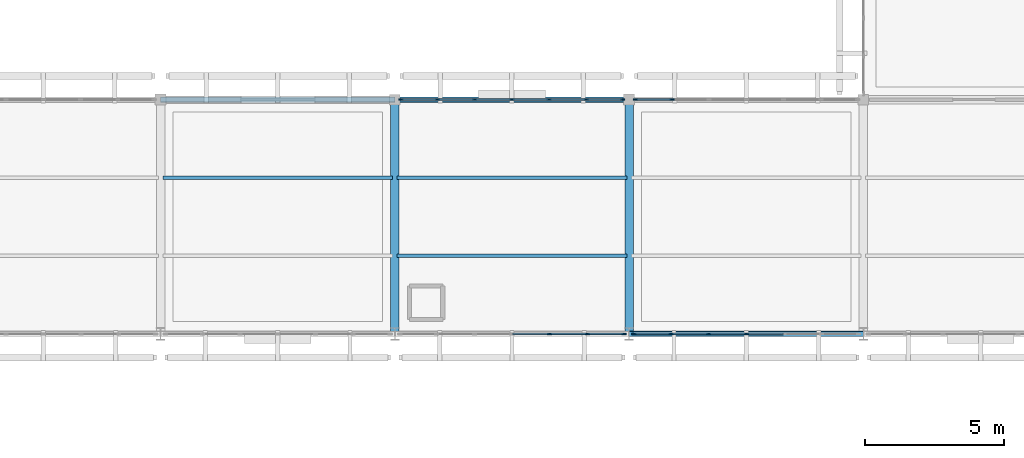
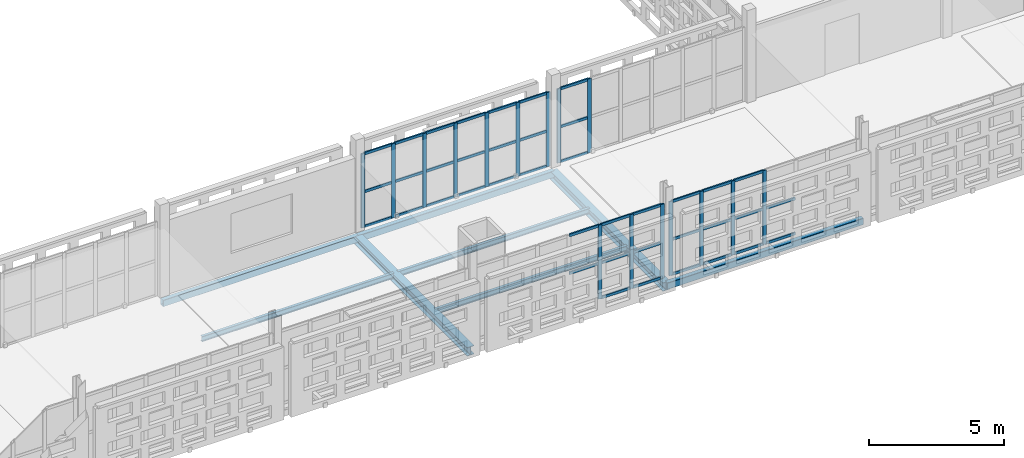
# One storey, part 46 of 166: 56 members, 8 beams, 4 elements without a shape of their own.
"""IFC4 building model written with IfcOpenShell, lengths in metres."""

from ifc_helpers import new_model, si_unit, direction, frame, origin, origin_2d, place, context, subcontext, project, spatial, rectangle, hollow_rectangle, i_section, extrude, material, layer, layer_set, material_profile, profile_set, type_object, element, aggregate, save


model = new_model("IFC4")

# Units and contexts
model_context = context("Model", 3, precision=1e-05, world=origin(), true_north=direction((0.0, 1.0)))
body_context = subcontext(model_context, "Body", "Model", "MODEL_VIEW")
ifc_project = project(units=[si_unit("LENGTHUNIT", "METRE"), si_unit("AREAUNIT", "SQUARE_METRE"), si_unit("VOLUMEUNIT", "CUBIC_METRE"), si_unit("PLANEANGLEUNIT", "RADIAN"), si_unit("MASSUNIT", "GRAM", prefix="KILO")], contexts=[model_context])

# Site, building, storey
site_placement = place(None, origin())
site = spatial("IfcSite", under=ifc_project, at=site_placement, CompositionType="ELEMENT")
building_placement = place(site_placement, origin())
building = spatial("IfcBuilding", under=site, at=building_placement, Name="Varnapada Polytechnic", CompositionType="ELEMENT")
storey_placement = place(building_placement, frame((0.0, 0.0, 9.60009765625)))
storey = spatial("IfcBuildingStorey", under=building, at=storey_placement, Name="L02", CompositionType="ELEMENT", Elevation=9.60009765625)

# Curtain wall, members
ifc_material_1 = material(Name="Double low-E laminated glass", Category="glass")
ifc_layer_1 = layer(ifc_material_1, 0.159912109375)
ifc_layer_set_1 = layer_set([ifc_layer_1], Name="Double low-E laminated glass")
curtain_wall_type_1 = type_object("IfcCurtainWallType", Name="Curtain Wall CW-01", PredefinedType="NOTDEFINED", material=ifc_layer_set_1)
curtain_wall_1_placement = place(storey_placement, origin())
curtain_wall_1 = element("IfcCurtainWall", 1, at=curtain_wall_1_placement, inside=storey, type_object=curtain_wall_type_1, Name="L02 unitised curtain wall CW-01 (171)", PredefinedType="NOTDEFINED")
ifc_material_2 = material(Name="Anodised aluminium", Category="aluminium")
ifc_material_profile_1 = material_profile(ifc_material_2, rectangle(XDim=0.06005859375, YDim=0.159912109375, at=origin_2d()), Name="ALU M60x160")
ifc_profile_set_1 = profile_set([ifc_material_profile_1], Name="Anodised aluminium")
member_type_1 = type_object("IfcMemberType", Name="Mullion M-01", PredefinedType="MULLION", material=ifc_profile_set_1)
member_1_placement = place(storey_placement, frame((109.02001953125, 84.0, 0.0), z_axis=(0.0, 0.0, 1.0), x_axis=(0.0, -1.0, 0.0)))
member_1 = element("IfcMember", 2, at=member_1_placement, type_object=member_type_1, Name="CW-01 mullion 1", PredefinedType="MULLION", context=body_context, shape_type="SweptSolid", body=[
    extrude(rectangle(XDim=0.06005859375, YDim=0.159912109375, at=origin_2d()), origin(), (0.0, 0.0, 1.0), 3.35986328125),
])
member_2_placement = place(storey_placement, frame((107.699951171875, 84.0, 0.0), z_axis=(0.0, 0.0, 1.0), x_axis=(0.0, -1.0, 0.0)))
member_2 = element("IfcMember", 3, at=member_2_placement, type_object=member_type_1, Name="CW-01 mullion 2", PredefinedType="MULLION", context=body_context, shape_type="SweptSolid", body=[
    extrude(rectangle(XDim=0.06005859375, YDim=0.159912109375, at=origin_2d()), origin(), (0.0, 0.0, 1.0), 3.35986328125),
])
member_3_placement = place(storey_placement, frame((106.35009765625, 84.0, 0.0), z_axis=(0.0, 0.0, 1.0), x_axis=(0.0, -1.0, 0.0)))
member_3 = element("IfcMember", 4, at=member_3_placement, type_object=member_type_1, Name="CW-01 mullion 3", PredefinedType="MULLION", context=body_context, shape_type="SweptSolid", body=[
    extrude(rectangle(XDim=0.06005859375, YDim=0.159912109375, at=origin_2d()), origin(), (0.0, 0.0, 1.0), 3.35986328125),
])

ifc_layer_2 = layer(ifc_material_1, 0.159912109375)
ifc_layer_set_2 = layer_set([ifc_layer_2], Name="Double low-E laminated glass")
curtain_wall_type_2 = type_object("IfcCurtainWallType", Name="Curtain Wall CW-02", PredefinedType="NOTDEFINED", material=ifc_layer_set_2)
curtain_wall_2_placement = place(storey_placement, origin())
curtain_wall_2 = element("IfcCurtainWall", 5, at=curtain_wall_2_placement, inside=storey, type_object=curtain_wall_type_2, Name="L02 unitised curtain wall CW-02 (172)", PredefinedType="NOTDEFINED")
member_4_placement = place(storey_placement, frame((101.02001953125, 92.39990234375, 0.0), z_axis=(0.0, 0.0, 1.0), x_axis=(0.0, 1.0, 0.0)))
member_4 = element("IfcMember", 6, at=member_4_placement, type_object=member_type_1, Name="CW-02 mullion 1", PredefinedType="MULLION", context=body_context, shape_type="SweptSolid", body=[
    extrude(rectangle(XDim=0.06005859375, YDim=0.159912109375, at=origin_2d()), origin(), (0.0, 0.0, 1.0), 3.35986328125),
])
member_5_placement = place(storey_placement, frame((102.324951171875, 92.39990234375, 0.0), z_axis=(0.0, 0.0, 1.0), x_axis=(0.0, 1.0, 0.0)))
member_5 = element("IfcMember", 7, at=member_5_placement, type_object=member_type_1, Name="CW-02 mullion 2", PredefinedType="MULLION", context=body_context, shape_type="SweptSolid", body=[
    extrude(rectangle(XDim=0.06005859375, YDim=0.159912109375, at=origin_2d()), origin(), (0.0, 0.0, 1.0), 3.35986328125),
])
member_6_placement = place(storey_placement, frame((103.659912109375, 92.39990234375, 0.0), z_axis=(0.0, 0.0, 1.0), x_axis=(0.0, 1.0, 0.0)))
member_6 = element("IfcMember", 8, at=member_6_placement, type_object=member_type_1, Name="CW-02 mullion 3", PredefinedType="MULLION", context=body_context, shape_type="SweptSolid", body=[
    extrude(rectangle(XDim=0.06005859375, YDim=0.159912109375, at=origin_2d()), origin(), (0.0, 0.0, 1.0), 3.35986328125),
])
member_7_placement = place(storey_placement, frame((104.9951171875, 92.39990234375, 0.0), z_axis=(0.0, 0.0, 1.0), x_axis=(0.0, 1.0, 0.0)))
member_7 = element("IfcMember", 9, at=member_7_placement, type_object=member_type_1, Name="CW-02 mullion 4", PredefinedType="MULLION", context=body_context, shape_type="SweptSolid", body=[
    extrude(rectangle(XDim=0.06005859375, YDim=0.159912109375, at=origin_2d()), origin(), (0.0, 0.0, 1.0), 3.35986328125),
])
member_8_placement = place(storey_placement, frame((106.330078125, 92.39990234375, 0.0), z_axis=(0.0, 0.0, 1.0), x_axis=(0.0, 1.0, 0.0)))
member_8 = element("IfcMember", 10, at=member_8_placement, type_object=member_type_1, Name="CW-02 mullion 5", PredefinedType="MULLION", context=body_context, shape_type="SweptSolid", body=[
    extrude(rectangle(XDim=0.06005859375, YDim=0.159912109375, at=origin_2d()), origin(), (0.0, 0.0, 1.0), 3.35986328125),
])
member_9_placement = place(storey_placement, frame((107.6650390625, 92.39990234375, 0.0), z_axis=(0.0, 0.0, 1.0), x_axis=(0.0, 1.0, 0.0)))
member_9 = element("IfcMember", 11, at=member_9_placement, type_object=member_type_1, Name="CW-02 mullion 6", PredefinedType="MULLION", context=body_context, shape_type="SweptSolid", body=[
    extrude(rectangle(XDim=0.06005859375, YDim=0.159912109375, at=origin_2d()), origin(), (0.0, 0.0, 1.0), 3.35986328125),
])
member_10_placement = place(storey_placement, frame((108.969970703125, 92.39990234375, 0.0), z_axis=(0.0, 0.0, 1.0), x_axis=(0.0, 1.0, 0.0)))
member_10 = element("IfcMember", 12, at=member_10_placement, type_object=member_type_1, Name="CW-02 mullion 7", PredefinedType="MULLION", context=body_context, shape_type="SweptSolid", body=[
    extrude(rectangle(XDim=0.06005859375, YDim=0.159912109375, at=origin_2d()), origin(), (0.0, 0.0, 1.0), 3.35986328125),
])

curtain_wall_3_placement = place(storey_placement, origin())
curtain_wall_3 = element("IfcCurtainWall", 13, at=curtain_wall_3_placement, inside=storey, type_object=curtain_wall_type_1, Name="L02 unitised curtain wall CW-01 (173)", PredefinedType="NOTDEFINED")
member_11_placement = place(storey_placement, frame((113.39990234375, 84.0, 0.0), z_axis=(0.0, 0.0, 1.0), x_axis=(0.0, -1.0, 0.0)))
member_11 = element("IfcMember", 14, at=member_11_placement, type_object=member_type_1, Name="CW-01 mullion 4", PredefinedType="MULLION", context=body_context, shape_type="SweptSolid", body=[
    extrude(rectangle(XDim=0.06005859375, YDim=0.159912109375, at=origin_2d()), origin(), (0.0, 0.0, 1.0), 3.35986328125),
])
member_12_placement = place(storey_placement, frame((112.050048828125, 84.0, 0.0), z_axis=(0.0, 0.0, 1.0), x_axis=(0.0, -1.0, 0.0)))
member_12 = element("IfcMember", 15, at=member_12_placement, type_object=member_type_1, Name="CW-01 mullion 5", PredefinedType="MULLION", context=body_context, shape_type="SweptSolid", body=[
    extrude(rectangle(XDim=0.06005859375, YDim=0.159912109375, at=origin_2d()), origin(), (0.0, 0.0, 1.0), 3.35986328125),
])
member_13_placement = place(storey_placement, frame((110.699951171875, 84.0, 0.0), z_axis=(0.0, 0.0, 1.0), x_axis=(0.0, -1.0, 0.0)))
member_13 = element("IfcMember", 16, at=member_13_placement, type_object=member_type_1, Name="CW-01 mullion 6", PredefinedType="MULLION", context=body_context, shape_type="SweptSolid", body=[
    extrude(rectangle(XDim=0.06005859375, YDim=0.159912109375, at=origin_2d()), origin(), (0.0, 0.0, 1.0), 3.35986328125),
])
member_14_placement = place(storey_placement, frame((109.3798828125, 84.0, 0.0), z_axis=(0.0, 0.0, 1.0), x_axis=(0.0, -1.0, 0.0)))
member_14 = element("IfcMember", 17, at=member_14_placement, type_object=member_type_1, Name="CW-01 mullion 7", PredefinedType="MULLION", context=body_context, shape_type="SweptSolid", body=[
    extrude(rectangle(XDim=0.06005859375, YDim=0.159912109375, at=origin_2d()), origin(), (0.0, 0.0, 1.0), 3.35986328125),
])

curtain_wall_4_placement = place(storey_placement, origin())
curtain_wall_4 = element("IfcCurtainWall", 18, at=curtain_wall_4_placement, inside=storey, type_object=curtain_wall_type_2, Name="L02 unitised curtain wall CW-02 (174)", PredefinedType="NOTDEFINED")
member_15_placement = place(storey_placement, frame((109.429931640625, 92.39990234375, 0.0), z_axis=(0.0, 0.0, 1.0), x_axis=(0.0, 1.0, 0.0)))
member_15 = element("IfcMember", 19, at=member_15_placement, type_object=member_type_1, Name="CW-02 mullion 1", PredefinedType="MULLION", context=body_context, shape_type="SweptSolid", body=[
    extrude(rectangle(XDim=0.06005859375, YDim=0.159912109375, at=origin_2d()), origin(), (0.0, 0.0, 1.0), 3.35986328125),
])
member_16_placement = place(storey_placement, frame((110.735107421875, 92.39990234375, 0.0), z_axis=(0.0, 0.0, 1.0), x_axis=(0.0, 1.0, 0.0)))
member_16 = element("IfcMember", 20, at=member_16_placement, type_object=member_type_1, Name="CW-02 mullion 2", PredefinedType="MULLION", context=body_context, shape_type="SweptSolid", body=[
    extrude(rectangle(XDim=0.06005859375, YDim=0.159912109375, at=origin_2d()), origin(), (0.0, 0.0, 1.0), 3.35986328125),
])

# Beams
ifc_material_3 = material(Name="Steel S355", Category="steel")
ifc_material_profile_2 = material_profile(ifc_material_3, i_section(OverallWidth=0.300048828125, OverallDepth=0.389892578125, WebThickness=0.010986328125, FlangeThickness=0.01904296875, FilletRadius=0.027099609375, at=origin_2d()), Name="HEA 400")
ifc_profile_set_2 = profile_set([ifc_material_profile_2], Name="Steel S355")
beam_type_1 = type_object("IfcBeamType", Name="Steel roof primary girder SG-01 (HEA 400)", PredefinedType="BEAM", material=ifc_profile_set_2)
for number, where, z_axis, x_axis, name in (
    (21, (100.800048828125, 84.0, -0.43505859375), (0.0, 1.0, 0.0), (-1.0, 0.0, 0.0), "L02 beam Y 11-12 at X13"),
    (22, (109.199951171875, 84.0, -0.43505859375), (0.0, 1.0, 0.0), (-1.0, 0.0, 0.0), "L02 beam Y 11-12 at X14"),
):
    element("IfcBeam", number, at=place(storey_placement, frame(where, z_axis=z_axis, x_axis=x_axis)), inside=storey, type_object=beam_type_1, Name=name, PredefinedType="BEAM", context=body_context, shape_type="SweptSolid", body=[
        extrude(i_section(OverallWidth=0.300048828125, OverallDepth=0.389892578125, WebThickness=0.010986328125, FlangeThickness=0.01904296875, FilletRadius=0.027099609375, at=origin_2d()), origin(), (0.0, 0.0, 1.0), 8.39990234375),
    ])

# Member
ifc_material_profile_3 = material_profile(ifc_material_2, rectangle(XDim=0.06005859375, YDim=0.1201171875, at=origin_2d()), Name="ALU T60x120")
ifc_profile_set_3 = profile_set([ifc_material_profile_3], Name="Anodised aluminium")
member_type_2 = type_object("IfcMemberType", Name="Transom T-01", PredefinedType="USERDEFINED", material=ifc_profile_set_3)
member_17_placement = place(storey_placement, frame((108.989990234375, 84.0, 0.02978515625), z_axis=(-1.0, 0.0, 0.0), x_axis=(0.0, -1.0, 0.0)))
member_17 = element("IfcMember", 23, at=member_17_placement, type_object=member_type_2, Name="CW-01 transom 1.1", ObjectType="TRANSOM", PredefinedType="USERDEFINED", context=body_context, shape_type="SweptSolid", body=[
    extrude(rectangle(XDim=0.06005859375, YDim=0.1201171875, at=origin_2d()), origin(), (0.0, 0.0, 1.0), 1.260009765625),
])

member_18_placement = place(storey_placement, frame((108.989990234375, 84.0, 1.61279296875), z_axis=(-1.0, 0.0, 0.0), x_axis=(0.0, -1.0, 0.0)))
member_18 = element("IfcMember", 24, at=member_18_placement, type_object=member_type_2, Name="CW-01 transom 1.2", ObjectType="TRANSOM", PredefinedType="USERDEFINED", context=body_context, shape_type="SweptSolid", body=[
    extrude(rectangle(XDim=0.06005859375, YDim=0.1201171875, at=origin_2d()), origin(), (0.0, 0.0, 1.0), 1.260009765625),
])

member_19_placement = place(storey_placement, frame((108.989990234375, 84.0, 3.329833984375), z_axis=(-1.0, 0.0, 0.0), x_axis=(0.0, -1.0, 0.0)))
member_19 = element("IfcMember", 25, at=member_19_placement, type_object=member_type_2, Name="CW-01 transom 1.3", ObjectType="TRANSOM", PredefinedType="USERDEFINED", context=body_context, shape_type="SweptSolid", body=[
    extrude(rectangle(XDim=0.06005859375, YDim=0.1201171875, at=origin_2d()), origin(), (0.0, 0.0, 1.0), 1.260009765625),
])

member_20_placement = place(storey_placement, frame((107.669921875, 84.0, 0.02978515625), z_axis=(-1.0, 0.0, 0.0), x_axis=(0.0, -1.0, 0.0)))
member_20 = element("IfcMember", 26, at=member_20_placement, type_object=member_type_2, Name="CW-01 transom 2.1", ObjectType="TRANSOM", PredefinedType="USERDEFINED", context=body_context, shape_type="SweptSolid", body=[
    extrude(rectangle(XDim=0.06005859375, YDim=0.1201171875, at=origin_2d()), origin(), (0.0, 0.0, 1.0), 1.2900390625),
])

member_21_placement = place(storey_placement, frame((107.669921875, 84.0, 1.61279296875), z_axis=(-1.0, 0.0, 0.0), x_axis=(0.0, -1.0, 0.0)))
member_21 = element("IfcMember", 27, at=member_21_placement, type_object=member_type_2, Name="CW-01 transom 2.2", ObjectType="TRANSOM", PredefinedType="USERDEFINED", context=body_context, shape_type="SweptSolid", body=[
    extrude(rectangle(XDim=0.06005859375, YDim=0.1201171875, at=origin_2d()), origin(), (0.0, 0.0, 1.0), 1.2900390625),
])

member_22_placement = place(storey_placement, frame((107.669921875, 84.0, 3.329833984375), z_axis=(-1.0, 0.0, 0.0), x_axis=(0.0, -1.0, 0.0)))
member_22 = element("IfcMember", 28, at=member_22_placement, type_object=member_type_2, Name="CW-01 transom 2.3", ObjectType="TRANSOM", PredefinedType="USERDEFINED", context=body_context, shape_type="SweptSolid", body=[
    extrude(rectangle(XDim=0.06005859375, YDim=0.1201171875, at=origin_2d()), origin(), (0.0, 0.0, 1.0), 1.2900390625),
])

member_23_placement = place(storey_placement, frame((106.320068359375, 84.0, 1.61279296875), z_axis=(-1.0, 0.0, 0.0), x_axis=(0.0, -1.0, 0.0)))
member_23 = element("IfcMember", 29, at=member_23_placement, type_object=member_type_2, Name="CW-01 transom 3.2", ObjectType="TRANSOM", PredefinedType="USERDEFINED", context=body_context, shape_type="SweptSolid", body=[
    extrude(rectangle(XDim=0.06005859375, YDim=0.1201171875, at=origin_2d()), origin(), (0.0, 0.0, 1.0), 1.2900390625),
])

member_24_placement = place(storey_placement, frame((106.320068359375, 84.0, 3.329833984375), z_axis=(-1.0, 0.0, 0.0), x_axis=(0.0, -1.0, 0.0)))
member_24 = element("IfcMember", 30, at=member_24_placement, type_object=member_type_2, Name="CW-01 transom 3.3", ObjectType="TRANSOM", PredefinedType="USERDEFINED", context=body_context, shape_type="SweptSolid", body=[
    extrude(rectangle(XDim=0.06005859375, YDim=0.1201171875, at=origin_2d()), origin(), (0.0, 0.0, 1.0), 1.2900390625),
])

aggregate(curtain_wall_1, [member_1, member_2, member_3, member_17, member_18, member_19, member_20, member_21, member_22, member_23, member_24])

member_25_placement = place(storey_placement, frame((101.050048828125, 92.39990234375, 0.02978515625), z_axis=(1.0, 0.0, 0.0), x_axis=(0.0, 1.0, 0.0)))
member_25 = element("IfcMember", 31, at=member_25_placement, type_object=member_type_2, Name="CW-02 transom 1.1", ObjectType="TRANSOM", PredefinedType="USERDEFINED", context=body_context, shape_type="SweptSolid", body=[
    extrude(rectangle(XDim=0.06005859375, YDim=0.1201171875, at=origin_2d()), origin(), (0.0, 0.0, 1.0), 1.244873046875),
])

member_26_placement = place(storey_placement, frame((101.050048828125, 92.39990234375, 1.61279296875), z_axis=(1.0, 0.0, 0.0), x_axis=(0.0, 1.0, 0.0)))
member_26 = element("IfcMember", 32, at=member_26_placement, type_object=member_type_2, Name="CW-02 transom 1.2", ObjectType="TRANSOM", PredefinedType="USERDEFINED", context=body_context, shape_type="SweptSolid", body=[
    extrude(rectangle(XDim=0.06005859375, YDim=0.1201171875, at=origin_2d()), origin(), (0.0, 0.0, 1.0), 1.244873046875),
])

member_27_placement = place(storey_placement, frame((101.050048828125, 92.39990234375, 3.329833984375), z_axis=(1.0, 0.0, 0.0), x_axis=(0.0, 1.0, 0.0)))
member_27 = element("IfcMember", 33, at=member_27_placement, type_object=member_type_2, Name="CW-02 transom 1.3", ObjectType="TRANSOM", PredefinedType="USERDEFINED", context=body_context, shape_type="SweptSolid", body=[
    extrude(rectangle(XDim=0.06005859375, YDim=0.1201171875, at=origin_2d()), origin(), (0.0, 0.0, 1.0), 1.244873046875),
])

member_28_placement = place(storey_placement, frame((102.35498046875, 92.39990234375, 0.02978515625), z_axis=(1.0, 0.0, 0.0), x_axis=(0.0, 1.0, 0.0)))
member_28 = element("IfcMember", 34, at=member_28_placement, type_object=member_type_2, Name="CW-02 transom 2.1", ObjectType="TRANSOM", PredefinedType="USERDEFINED", context=body_context, shape_type="SweptSolid", body=[
    extrude(rectangle(XDim=0.06005859375, YDim=0.1201171875, at=origin_2d()), origin(), (0.0, 0.0, 1.0), 1.27490234375),
])

member_29_placement = place(storey_placement, frame((102.35498046875, 92.39990234375, 1.61279296875), z_axis=(1.0, 0.0, 0.0), x_axis=(0.0, 1.0, 0.0)))
member_29 = element("IfcMember", 35, at=member_29_placement, type_object=member_type_2, Name="CW-02 transom 2.2", ObjectType="TRANSOM", PredefinedType="USERDEFINED", context=body_context, shape_type="SweptSolid", body=[
    extrude(rectangle(XDim=0.06005859375, YDim=0.1201171875, at=origin_2d()), origin(), (0.0, 0.0, 1.0), 1.27490234375),
])

member_30_placement = place(storey_placement, frame((102.35498046875, 92.39990234375, 3.329833984375), z_axis=(1.0, 0.0, 0.0), x_axis=(0.0, 1.0, 0.0)))
member_30 = element("IfcMember", 36, at=member_30_placement, type_object=member_type_2, Name="CW-02 transom 2.3", ObjectType="TRANSOM", PredefinedType="USERDEFINED", context=body_context, shape_type="SweptSolid", body=[
    extrude(rectangle(XDim=0.06005859375, YDim=0.1201171875, at=origin_2d()), origin(), (0.0, 0.0, 1.0), 1.27490234375),
])

member_31_placement = place(storey_placement, frame((103.68994140625, 92.39990234375, 0.02978515625), z_axis=(1.0, 0.0, 0.0), x_axis=(0.0, 1.0, 0.0)))
member_31 = element("IfcMember", 37, at=member_31_placement, type_object=member_type_2, Name="CW-02 transom 3.1", ObjectType="TRANSOM", PredefinedType="USERDEFINED", context=body_context, shape_type="SweptSolid", body=[
    extrude(rectangle(XDim=0.06005859375, YDim=0.1201171875, at=origin_2d()), origin(), (0.0, 0.0, 1.0), 1.275146484375),
])

member_32_placement = place(storey_placement, frame((103.68994140625, 92.39990234375, 1.61279296875), z_axis=(1.0, 0.0, 0.0), x_axis=(0.0, 1.0, 0.0)))
member_32 = element("IfcMember", 38, at=member_32_placement, type_object=member_type_2, Name="CW-02 transom 3.2", ObjectType="TRANSOM", PredefinedType="USERDEFINED", context=body_context, shape_type="SweptSolid", body=[
    extrude(rectangle(XDim=0.06005859375, YDim=0.1201171875, at=origin_2d()), origin(), (0.0, 0.0, 1.0), 1.275146484375),
])

member_33_placement = place(storey_placement, frame((103.68994140625, 92.39990234375, 3.329833984375), z_axis=(1.0, 0.0, 0.0), x_axis=(0.0, 1.0, 0.0)))
member_33 = element("IfcMember", 39, at=member_33_placement, type_object=member_type_2, Name="CW-02 transom 3.3", ObjectType="TRANSOM", PredefinedType="USERDEFINED", context=body_context, shape_type="SweptSolid", body=[
    extrude(rectangle(XDim=0.06005859375, YDim=0.1201171875, at=origin_2d()), origin(), (0.0, 0.0, 1.0), 1.275146484375),
])

member_34_placement = place(storey_placement, frame((105.02490234375, 92.39990234375, 0.02978515625), z_axis=(1.0, 0.0, 0.0), x_axis=(0.0, 1.0, 0.0)))
member_34 = element("IfcMember", 40, at=member_34_placement, type_object=member_type_2, Name="CW-02 transom 4.1", ObjectType="TRANSOM", PredefinedType="USERDEFINED", context=body_context, shape_type="SweptSolid", body=[
    extrude(rectangle(XDim=0.06005859375, YDim=0.1201171875, at=origin_2d()), origin(), (0.0, 0.0, 1.0), 1.275146484375),
])

member_35_placement = place(storey_placement, frame((105.02490234375, 92.39990234375, 1.61279296875), z_axis=(1.0, 0.0, 0.0), x_axis=(0.0, 1.0, 0.0)))
member_35 = element("IfcMember", 41, at=member_35_placement, type_object=member_type_2, Name="CW-02 transom 4.2", ObjectType="TRANSOM", PredefinedType="USERDEFINED", context=body_context, shape_type="SweptSolid", body=[
    extrude(rectangle(XDim=0.06005859375, YDim=0.1201171875, at=origin_2d()), origin(), (0.0, 0.0, 1.0), 1.275146484375),
])

member_36_placement = place(storey_placement, frame((105.02490234375, 92.39990234375, 3.329833984375), z_axis=(1.0, 0.0, 0.0), x_axis=(0.0, 1.0, 0.0)))
member_36 = element("IfcMember", 42, at=member_36_placement, type_object=member_type_2, Name="CW-02 transom 4.3", ObjectType="TRANSOM", PredefinedType="USERDEFINED", context=body_context, shape_type="SweptSolid", body=[
    extrude(rectangle(XDim=0.06005859375, YDim=0.1201171875, at=origin_2d()), origin(), (0.0, 0.0, 1.0), 1.275146484375),
])

member_37_placement = place(storey_placement, frame((106.360107421875, 92.39990234375, 0.02978515625), z_axis=(1.0, 0.0, 0.0), x_axis=(0.0, 1.0, 0.0)))
member_37 = element("IfcMember", 43, at=member_37_placement, type_object=member_type_2, Name="CW-02 transom 5.1", ObjectType="TRANSOM", PredefinedType="USERDEFINED", context=body_context, shape_type="SweptSolid", body=[
    extrude(rectangle(XDim=0.06005859375, YDim=0.1201171875, at=origin_2d()), origin(), (0.0, 0.0, 1.0), 1.27490234375),
])

member_38_placement = place(storey_placement, frame((106.360107421875, 92.39990234375, 1.61279296875), z_axis=(1.0, 0.0, 0.0), x_axis=(0.0, 1.0, 0.0)))
member_38 = element("IfcMember", 44, at=member_38_placement, type_object=member_type_2, Name="CW-02 transom 5.2", ObjectType="TRANSOM", PredefinedType="USERDEFINED", context=body_context, shape_type="SweptSolid", body=[
    extrude(rectangle(XDim=0.06005859375, YDim=0.1201171875, at=origin_2d()), origin(), (0.0, 0.0, 1.0), 1.27490234375),
])

member_39_placement = place(storey_placement, frame((106.360107421875, 92.39990234375, 3.329833984375), z_axis=(1.0, 0.0, 0.0), x_axis=(0.0, 1.0, 0.0)))
member_39 = element("IfcMember", 45, at=member_39_placement, type_object=member_type_2, Name="CW-02 transom 5.3", ObjectType="TRANSOM", PredefinedType="USERDEFINED", context=body_context, shape_type="SweptSolid", body=[
    extrude(rectangle(XDim=0.06005859375, YDim=0.1201171875, at=origin_2d()), origin(), (0.0, 0.0, 1.0), 1.27490234375),
])

member_40_placement = place(storey_placement, frame((107.695068359375, 92.39990234375, 0.02978515625), z_axis=(1.0, 0.0, 0.0), x_axis=(0.0, 1.0, 0.0)))
member_40 = element("IfcMember", 46, at=member_40_placement, type_object=member_type_2, Name="CW-02 transom 6.1", ObjectType="TRANSOM", PredefinedType="USERDEFINED", context=body_context, shape_type="SweptSolid", body=[
    extrude(rectangle(XDim=0.06005859375, YDim=0.1201171875, at=origin_2d()), origin(), (0.0, 0.0, 1.0), 1.244873046875),
])

member_41_placement = place(storey_placement, frame((107.695068359375, 92.39990234375, 1.61279296875), z_axis=(1.0, 0.0, 0.0), x_axis=(0.0, 1.0, 0.0)))
member_41 = element("IfcMember", 47, at=member_41_placement, type_object=member_type_2, Name="CW-02 transom 6.2", ObjectType="TRANSOM", PredefinedType="USERDEFINED", context=body_context, shape_type="SweptSolid", body=[
    extrude(rectangle(XDim=0.06005859375, YDim=0.1201171875, at=origin_2d()), origin(), (0.0, 0.0, 1.0), 1.244873046875),
])

member_42_placement = place(storey_placement, frame((107.695068359375, 92.39990234375, 3.329833984375), z_axis=(1.0, 0.0, 0.0), x_axis=(0.0, 1.0, 0.0)))
member_42 = element("IfcMember", 48, at=member_42_placement, type_object=member_type_2, Name="CW-02 transom 6.3", ObjectType="TRANSOM", PredefinedType="USERDEFINED", context=body_context, shape_type="SweptSolid", body=[
    extrude(rectangle(XDim=0.06005859375, YDim=0.1201171875, at=origin_2d()), origin(), (0.0, 0.0, 1.0), 1.244873046875),
])

aggregate(curtain_wall_2, [member_4, member_5, member_6, member_7, member_8, member_9, member_10, member_25, member_26, member_27, member_28, member_29, member_30, member_31, member_32, member_33, member_34, member_35, member_36, member_37, member_38, member_39, member_40, member_41, member_42])

member_43_placement = place(storey_placement, frame((114.719970703125, 84.0, 0.02978515625), z_axis=(-1.0, 0.0, 0.0), x_axis=(0.0, -1.0, 0.0)))
member_43 = element("IfcMember", 49, at=member_43_placement, type_object=member_type_2, Name="CW-01 transom 3.1", ObjectType="TRANSOM", PredefinedType="USERDEFINED", context=body_context, shape_type="SweptSolid", body=[
    extrude(rectangle(XDim=0.06005859375, YDim=0.1201171875, at=origin_2d()), origin(), (0.0, 0.0, 1.0), 1.2900390625),
])

member_44_placement = place(storey_placement, frame((114.719970703125, 84.0, 1.61279296875), z_axis=(-1.0, 0.0, 0.0), x_axis=(0.0, -1.0, 0.0)))
member_44 = element("IfcMember", 50, at=member_44_placement, type_object=member_type_2, Name="CW-01 transom 3.2", ObjectType="TRANSOM", PredefinedType="USERDEFINED", context=body_context, shape_type="SweptSolid", body=[
    extrude(rectangle(XDim=0.06005859375, YDim=0.1201171875, at=origin_2d()), origin(), (0.0, 0.0, 1.0), 1.2900390625),
])

member_45_placement = place(storey_placement, frame((113.3701171875, 84.0, 0.02978515625), z_axis=(-1.0, 0.0, 0.0), x_axis=(0.0, -1.0, 0.0)))
member_45 = element("IfcMember", 51, at=member_45_placement, type_object=member_type_2, Name="CW-01 transom 4.1", ObjectType="TRANSOM", PredefinedType="USERDEFINED", context=body_context, shape_type="SweptSolid", body=[
    extrude(rectangle(XDim=0.06005859375, YDim=0.1201171875, at=origin_2d()), origin(), (0.0, 0.0, 1.0), 1.2900390625),
])

member_46_placement = place(storey_placement, frame((113.3701171875, 84.0, 1.61279296875), z_axis=(-1.0, 0.0, 0.0), x_axis=(0.0, -1.0, 0.0)))
member_46 = element("IfcMember", 52, at=member_46_placement, type_object=member_type_2, Name="CW-01 transom 4.2", ObjectType="TRANSOM", PredefinedType="USERDEFINED", context=body_context, shape_type="SweptSolid", body=[
    extrude(rectangle(XDim=0.06005859375, YDim=0.1201171875, at=origin_2d()), origin(), (0.0, 0.0, 1.0), 1.2900390625),
])

member_47_placement = place(storey_placement, frame((113.3701171875, 84.0, 3.329833984375), z_axis=(-1.0, 0.0, 0.0), x_axis=(0.0, -1.0, 0.0)))
member_47 = element("IfcMember", 53, at=member_47_placement, type_object=member_type_2, Name="CW-01 transom 4.3", ObjectType="TRANSOM", PredefinedType="USERDEFINED", context=body_context, shape_type="SweptSolid", body=[
    extrude(rectangle(XDim=0.06005859375, YDim=0.1201171875, at=origin_2d()), origin(), (0.0, 0.0, 1.0), 1.2900390625),
])

member_48_placement = place(storey_placement, frame((112.02001953125, 84.0, 0.02978515625), z_axis=(-1.0, 0.0, 0.0), x_axis=(0.0, -1.0, 0.0)))
member_48 = element("IfcMember", 54, at=member_48_placement, type_object=member_type_2, Name="CW-01 transom 5.1", ObjectType="TRANSOM", PredefinedType="USERDEFINED", context=body_context, shape_type="SweptSolid", body=[
    extrude(rectangle(XDim=0.06005859375, YDim=0.1201171875, at=origin_2d()), origin(), (0.0, 0.0, 1.0), 1.2900390625),
])

member_49_placement = place(storey_placement, frame((112.02001953125, 84.0, 1.61279296875), z_axis=(-1.0, 0.0, 0.0), x_axis=(0.0, -1.0, 0.0)))
member_49 = element("IfcMember", 55, at=member_49_placement, type_object=member_type_2, Name="CW-01 transom 5.2", ObjectType="TRANSOM", PredefinedType="USERDEFINED", context=body_context, shape_type="SweptSolid", body=[
    extrude(rectangle(XDim=0.06005859375, YDim=0.1201171875, at=origin_2d()), origin(), (0.0, 0.0, 1.0), 1.2900390625),
])

member_50_placement = place(storey_placement, frame((112.02001953125, 84.0, 3.329833984375), z_axis=(-1.0, 0.0, 0.0), x_axis=(0.0, -1.0, 0.0)))
member_50 = element("IfcMember", 56, at=member_50_placement, type_object=member_type_2, Name="CW-01 transom 5.3", ObjectType="TRANSOM", PredefinedType="USERDEFINED", context=body_context, shape_type="SweptSolid", body=[
    extrude(rectangle(XDim=0.06005859375, YDim=0.1201171875, at=origin_2d()), origin(), (0.0, 0.0, 1.0), 1.2900390625),
])

member_51_placement = place(storey_placement, frame((110.669921875, 84.0, 0.02978515625), z_axis=(-1.0, 0.0, 0.0), x_axis=(0.0, -1.0, 0.0)))
member_51 = element("IfcMember", 57, at=member_51_placement, type_object=member_type_2, Name="CW-01 transom 6.1", ObjectType="TRANSOM", PredefinedType="USERDEFINED", context=body_context, shape_type="SweptSolid", body=[
    extrude(rectangle(XDim=0.06005859375, YDim=0.1201171875, at=origin_2d()), origin(), (0.0, 0.0, 1.0), 1.260009765625),
])

member_52_placement = place(storey_placement, frame((110.669921875, 84.0, 1.61279296875), z_axis=(-1.0, 0.0, 0.0), x_axis=(0.0, -1.0, 0.0)))
member_52 = element("IfcMember", 58, at=member_52_placement, type_object=member_type_2, Name="CW-01 transom 6.2", ObjectType="TRANSOM", PredefinedType="USERDEFINED", context=body_context, shape_type="SweptSolid", body=[
    extrude(rectangle(XDim=0.06005859375, YDim=0.1201171875, at=origin_2d()), origin(), (0.0, 0.0, 1.0), 1.260009765625),
])

member_53_placement = place(storey_placement, frame((110.669921875, 84.0, 3.329833984375), z_axis=(-1.0, 0.0, 0.0), x_axis=(0.0, -1.0, 0.0)))
member_53 = element("IfcMember", 59, at=member_53_placement, type_object=member_type_2, Name="CW-01 transom 6.3", ObjectType="TRANSOM", PredefinedType="USERDEFINED", context=body_context, shape_type="SweptSolid", body=[
    extrude(rectangle(XDim=0.06005859375, YDim=0.1201171875, at=origin_2d()), origin(), (0.0, 0.0, 1.0), 1.260009765625),
])

aggregate(curtain_wall_3, [member_11, member_12, member_13, member_14, member_43, member_44, member_45, member_46, member_47, member_48, member_49, member_50, member_51, member_52, member_53])

member_54_placement = place(storey_placement, frame((109.4599609375, 92.39990234375, 0.02978515625), z_axis=(1.0, 0.0, 0.0), x_axis=(0.0, 1.0, 0.0)))
member_54 = element("IfcMember", 60, at=member_54_placement, type_object=member_type_2, Name="CW-02 transom 1.1", ObjectType="TRANSOM", PredefinedType="USERDEFINED", context=body_context, shape_type="SweptSolid", body=[
    extrude(rectangle(XDim=0.06005859375, YDim=0.1201171875, at=origin_2d()), origin(), (0.0, 0.0, 1.0), 1.2451171875),
])

member_55_placement = place(storey_placement, frame((109.4599609375, 92.39990234375, 1.61279296875), z_axis=(1.0, 0.0, 0.0), x_axis=(0.0, 1.0, 0.0)))
member_55 = element("IfcMember", 61, at=member_55_placement, type_object=member_type_2, Name="CW-02 transom 1.2", ObjectType="TRANSOM", PredefinedType="USERDEFINED", context=body_context, shape_type="SweptSolid", body=[
    extrude(rectangle(XDim=0.06005859375, YDim=0.1201171875, at=origin_2d()), origin(), (0.0, 0.0, 1.0), 1.2451171875),
])

member_56_placement = place(storey_placement, frame((109.4599609375, 92.39990234375, 3.329833984375), z_axis=(1.0, 0.0, 0.0), x_axis=(0.0, 1.0, 0.0)))
member_56 = element("IfcMember", 62, at=member_56_placement, type_object=member_type_2, Name="CW-02 transom 1.3", ObjectType="TRANSOM", PredefinedType="USERDEFINED", context=body_context, shape_type="SweptSolid", body=[
    extrude(rectangle(XDim=0.06005859375, YDim=0.1201171875, at=origin_2d()), origin(), (0.0, 0.0, 1.0), 1.2451171875),
])

aggregate(curtain_wall_4, [member_15, member_16, member_54, member_55, member_56])

# Beams
ifc_material_profile_4 = material_profile(ifc_material_3, i_section(OverallWidth=0.1201171875, OverallDepth=0.239990234375, WebThickness=0.006103515625, FlangeThickness=0.009765625, FilletRadius=0.014892578125, at=origin_2d()), Name="IPE 240")
ifc_profile_set_4 = profile_set([ifc_material_profile_4], Name="Steel S355")
beam_type_2 = type_object("IfcBeamType", Name="Workshop gallery composite joist SJ-01 (IPE 240)", PredefinedType="JOIST", material=ifc_profile_set_4)
beam_1_placement = place(storey_placement, frame((92.47998046875, 89.60009765625, -0.360107421875), z_axis=(1.0, 0.0, 0.0), x_axis=(0.0, 1.0, 0.0)))
element("IfcBeam", 63, at=beam_1_placement, inside=storey, type_object=beam_type_2, Name="L02 floor joist 12/11.2", PredefinedType="JOIST", context=body_context, shape_type="SweptSolid", body=[
    extrude(i_section(OverallWidth=0.1201171875, OverallDepth=0.239990234375, WebThickness=0.006103515625, FlangeThickness=0.009765625, FilletRadius=0.014892578125, at=origin_2d()), origin(), (0.0, 0.0, 1.0), 8.239990234375),
])
for number, where, z_axis, x_axis, name in (
    (64, (100.8798828125, 86.800048828125, -0.360107421875), (1.0, 0.0, 0.0), (0.0, 1.0, 0.0), "L02 floor joist 13/11.1"),
    (65, (100.8798828125, 89.60009765625, -0.360107421875), (1.0, 0.0, 0.0), (0.0, 1.0, 0.0), "L02 floor joist 13/11.2"),
):
    element("IfcBeam", number, at=place(storey_placement, frame(where, z_axis=z_axis, x_axis=x_axis)), inside=storey, type_object=beam_type_2, Name=name, PredefinedType="JOIST", context=body_context, shape_type="SweptSolid", body=[
        extrude(i_section(OverallWidth=0.1201171875, OverallDepth=0.239990234375, WebThickness=0.006103515625, FlangeThickness=0.009765625, FilletRadius=0.014892578125, at=origin_2d()), origin(), (0.0, 0.0, 1.0), 8.240234375),
    ])
ifc_material_profile_5 = material_profile(ifc_material_3, hollow_rectangle(XDim=0.199951171875, YDim=0.300048828125, WallThickness=0.010009765625, InnerFilletRadius=0.010009765625, OuterFilletRadius=0.02001953125, at=origin_2d()), Name="RHS 300x200x10")
ifc_profile_set_5 = profile_set([ifc_material_profile_5], Name="Steel S355")
beam_type_3 = type_object("IfcBeamType", Name="Workshop steel spandrel tie SP-03 (RHS 300x200x10)", PredefinedType="SPANDREL", material=ifc_profile_set_5)
beam_2_placement = place(storey_placement, frame((92.39990234375, 92.39990234375, -0.39013671875), z_axis=(1.0, 0.0, 0.0), x_axis=(0.0, 1.0, 0.0)))
element("IfcBeam", 66, at=beam_2_placement, inside=storey, type_object=beam_type_3, Name="L02 beam X 12-13 at Y12", PredefinedType="SPANDREL", context=body_context, shape_type="SweptSolid", body=[
    extrude(hollow_rectangle(XDim=0.199951171875, YDim=0.300048828125, WallThickness=0.010009765625, InnerFilletRadius=0.010009765625, OuterFilletRadius=0.02001953125, at=origin_2d()), origin(), (0.0, 0.0, 1.0), 8.400146484375),
])
beam_3_placement = place(storey_placement, frame((100.800048828125, 92.39990234375, -0.39013671875), z_axis=(1.0, 0.0, 0.0), x_axis=(0.0, 1.0, 0.0)))
element("IfcBeam", 67, at=beam_3_placement, inside=storey, type_object=beam_type_3, Name="L02 beam X 13-14 at Y12", PredefinedType="SPANDREL", context=body_context, shape_type="SweptSolid", body=[
    extrude(hollow_rectangle(XDim=0.199951171875, YDim=0.300048828125, WallThickness=0.010009765625, InnerFilletRadius=0.010009765625, OuterFilletRadius=0.02001953125, at=origin_2d()), origin(), (0.0, 0.0, 1.0), 8.39990234375),
])
beam_4_placement = place(storey_placement, frame((109.199951171875, 84.0, -0.39013671875), z_axis=(1.0, 0.0, 0.0), x_axis=(0.0, 1.0, 0.0)))
element("IfcBeam", 68, at=beam_4_placement, inside=storey, type_object=beam_type_3, Name="L02 beam X 14-15 at Y11", PredefinedType="SPANDREL", context=body_context, shape_type="SweptSolid", body=[
    extrude(hollow_rectangle(XDim=0.199951171875, YDim=0.300048828125, WallThickness=0.010009765625, InnerFilletRadius=0.010009765625, OuterFilletRadius=0.02001953125, at=origin_2d()), origin(), (0.0, 0.0, 1.0), 8.400146484375),
])

save(model, "model.ifc")
